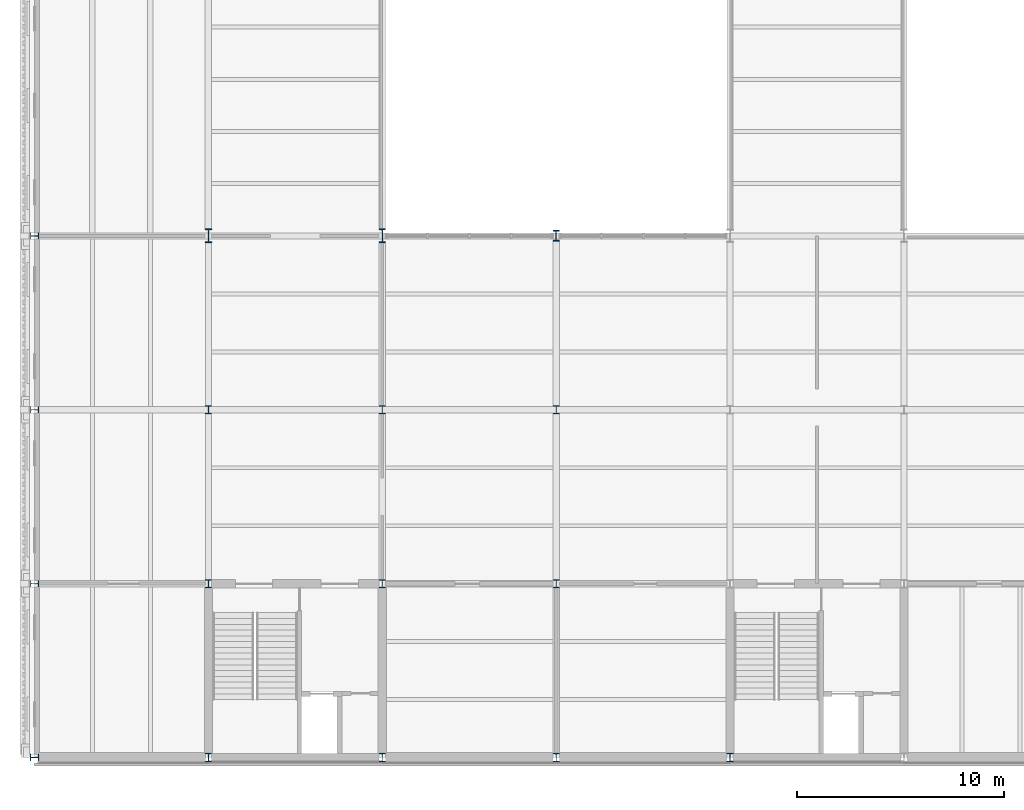
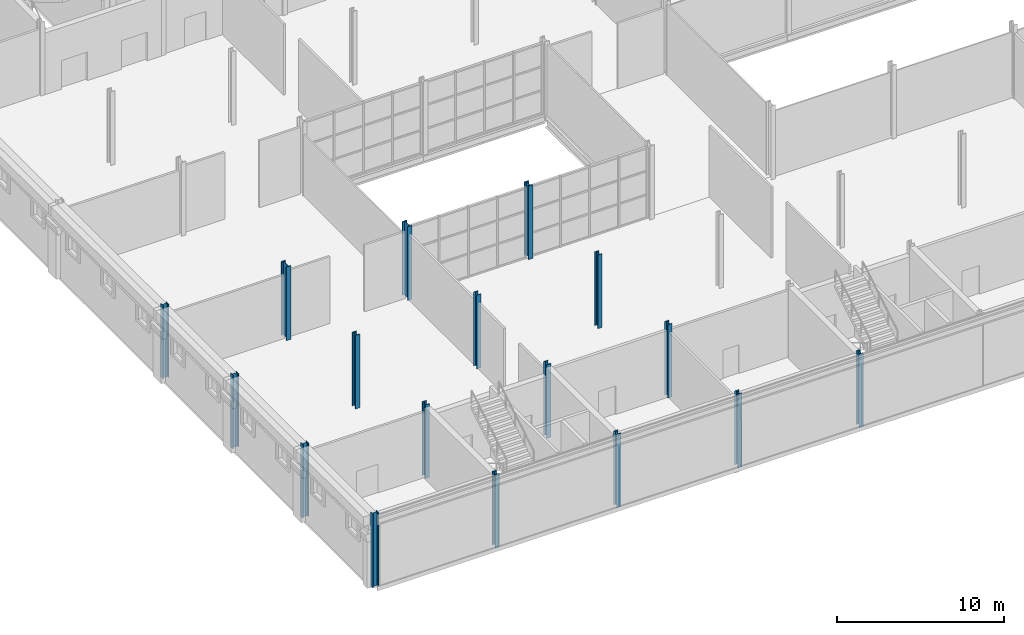
# One storey, part 1 of 57: 17 columns.
"""IFC4 building model written with IfcOpenShell, lengths in metres."""

from ifc_helpers import new_model, si_unit, direction, frame, origin, origin_2d, place, context, subcontext, project, spatial, i_section, extrude, material, material_profile, profile_set, type_object, element, save


model = new_model("IFC4")

# Units and contexts
model_context = context("Model", 3, precision=1e-05, world=origin(), true_north=direction((0.0, 1.0)))
body_context = subcontext(model_context, "Body", "Model", "MODEL_VIEW")
ifc_project = project(units=[si_unit("LENGTHUNIT", "METRE"), si_unit("AREAUNIT", "SQUARE_METRE"), si_unit("VOLUMEUNIT", "CUBIC_METRE"), si_unit("PLANEANGLEUNIT", "RADIAN"), si_unit("MASSUNIT", "GRAM", prefix="KILO")], contexts=[model_context])

# Site, building, storey
site_placement = place(None, origin())
site = spatial("IfcSite", under=ifc_project, at=site_placement, CompositionType="ELEMENT")
building_placement = place(site_placement, origin())
building = spatial("IfcBuilding", under=site, at=building_placement, Name="Galleria Vessillo Department Store", CompositionType="ELEMENT")
storey_placement = place(building_placement, frame((0.0, 0.0, 25.800048828125)))
storey = spatial("IfcBuildingStorey", under=building, at=storey_placement, Name="L05", CompositionType="ELEMENT", Elevation=25.800048828125)

# Columns
ifc_material_1 = material(Name="Steel S355 J2", Category="steel")
ifc_material_profile_1 = material_profile(ifc_material_1, i_section(OverallWidth=0.300048828125, OverallDepth=0.39990234375, WebThickness=0.013427734375, FlangeThickness=0.02392578125, FilletRadius=0.027099609375, at=origin_2d()), Name="HEB 400")
ifc_profile_set_1 = profile_set([ifc_material_profile_1], Name="Steel S355 J2")
column_type_1 = type_object("IfcColumnType", Name="Steel column HEB 400 CP2", PredefinedType="COLUMN", material=ifc_profile_set_1)
for number, where, z_axis, x_axis, name in (
    (1, (0.0, 0.0, 0.0), (0.0, 0.0, 1.0), (0.0, 1.0, 0.0), "S-COL-L05-1-A"),
    (2, (0.0, 8.39990234375, 0.0), (0.0, 0.0, 1.0), (0.0, 1.0, 0.0), "S-COL-L05-1-B"),
    (3, (0.0, 16.800048828125, 0.0), (0.0, 0.0, 1.0), (0.0, 1.0, 0.0), "S-COL-L05-1-C"),
    (4, (0.0, 25.199951171875, 0.0), (0.0, 0.0, 1.0), (0.0, 1.0, 0.0), "S-COL-L05-1-D"),
    (5, (8.39990234375, 0.0, 0.0), (0.0, 0.0, 1.0), (1.0, 0.0, 0.0), "S-COL-L05-2-A"),
    (6, (8.39990234375, 8.39990234375, 0.0), (0.0, 0.0, 1.0), (1.0, 0.0, 0.0), "S-COL-L05-2-B"),
    (7, (8.39990234375, 16.800048828125, 0.0), (0.0, 0.0, 1.0), (1.0, 0.0, 0.0), "S-COL-L05-2-C"),
    (8, (16.800048828125, 0.0, 0.0), (0.0, 0.0, 1.0), (1.0, 0.0, 0.0), "S-COL-L05-3-A"),
    (9, (16.800048828125, 8.39990234375, 0.0), (0.0, 0.0, 1.0), (1.0, 0.0, 0.0), "S-COL-L05-3-B"),
    (10, (16.800048828125, 16.800048828125, 0.0), (0.0, 0.0, 1.0), (1.0, 0.0, 0.0), "S-COL-L05-3-C"),
    (11, (25.199951171875, 0.0, 0.0), (0.0, 0.0, 1.0), (1.0, 0.0, 0.0), "S-COL-L05-4-A"),
    (12, (25.199951171875, 8.39990234375, 0.0), (0.0, 0.0, 1.0), (1.0, 0.0, 0.0), "S-COL-L05-4-B"),
    (13, (25.199951171875, 16.800048828125, 0.0), (0.0, 0.0, 1.0), (1.0, 0.0, 0.0), "S-COL-L05-4-C"),
    (14, (33.60009765625, 0.0, 0.0), (0.0, 0.0, 1.0), (1.0, 0.0, 0.0), "S-COL-L05-5-A"),
):
    element("IfcColumn", number, at=place(storey_placement, frame(where, z_axis=z_axis, x_axis=x_axis)), inside=storey, type_object=column_type_1, Name=name, PredefinedType="COLUMN", context=body_context, shape_type="SweptSolid", body=[
        extrude(i_section(OverallWidth=0.300048828125, OverallDepth=0.39990234375, WebThickness=0.013427734375, FlangeThickness=0.02392578125, FilletRadius=0.027099609375, at=origin_2d()), origin(), (0.0, 0.0, 1.0), 5.39990234375),
    ])
ifc_material_2 = material(Name="Steel S355 J2", Category="steel")
ifc_material_profile_2 = material_profile(ifc_material_2, i_section(OverallWidth=0.305908203125, OverallDepth=0.52392578125, WebThickness=0.02099609375, FlangeThickness=0.0400390625, FilletRadius=0.027099609375, at=origin_2d()), Name="HEM 500")
ifc_profile_set_2 = profile_set([ifc_material_profile_2], Name="Steel S355 J2")
column_type_2 = type_object("IfcColumnType", Name="Steel column HEM 500 CV1", PredefinedType="COLUMN", material=ifc_profile_set_2)
column_placement = place(storey_placement, frame((25.199951171875, 25.199951171875, 0.0), z_axis=(0.0, 0.0, 1.0), x_axis=(1.0, 0.0, 0.0)))
element("IfcColumn", 15, at=column_placement, inside=storey, type_object=column_type_2, Name="S-COL-L05-4-D", PredefinedType="COLUMN", context=body_context, shape_type="SweptSolid", body=[
    extrude(i_section(OverallWidth=0.305908203125, OverallDepth=0.52392578125, WebThickness=0.02099609375, FlangeThickness=0.0400390625, FilletRadius=0.027099609375, at=origin_2d()), origin(), (0.0, 0.0, 1.0), 5.39990234375),
])
ifc_material_3 = material(Name="Steel S355 J2", Category="steel")
ifc_material_profile_3 = material_profile(ifc_material_3, i_section(OverallWidth=0.304931640625, OverallDepth=0.66796875, WebThickness=0.02099609375, FlangeThickness=0.0400390625, FilletRadius=0.027099609375, at=origin_2d()), Name="HEM 650")
ifc_profile_set_3 = profile_set([ifc_material_profile_3], Name="Steel S355 J2")
column_type_3 = type_object("IfcColumnType", Name="Steel column HEM 650 CV3", PredefinedType="COLUMN", material=ifc_profile_set_3)
for number, where, z_axis, x_axis, name in (
    (16, (8.39990234375, 25.199951171875, 0.0), (0.0, 0.0, 1.0), (1.0, 0.0, 0.0), "S-COL-L05-2-D"),
    (17, (16.800048828125, 25.199951171875, 0.0), (0.0, 0.0, 1.0), (1.0, 0.0, 0.0), "S-COL-L05-3-D"),
):
    element("IfcColumn", number, at=place(storey_placement, frame(where, z_axis=z_axis, x_axis=x_axis)), inside=storey, type_object=column_type_3, Name=name, PredefinedType="COLUMN", context=body_context, shape_type="SweptSolid", body=[
        extrude(i_section(OverallWidth=0.304931640625, OverallDepth=0.66796875, WebThickness=0.02099609375, FlangeThickness=0.0400390625, FilletRadius=0.027099609375, at=origin_2d()), origin(), (0.0, 0.0, 1.0), 5.39990234375),
    ])

save(model, "model.ifc")
